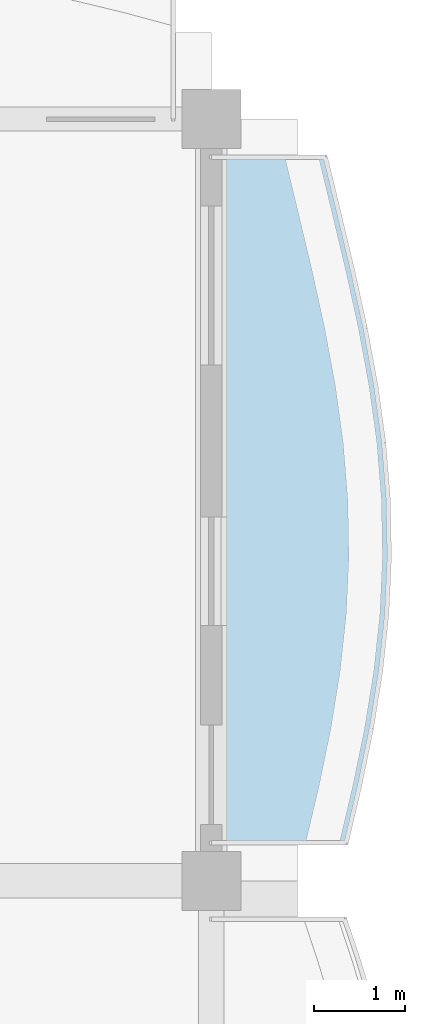
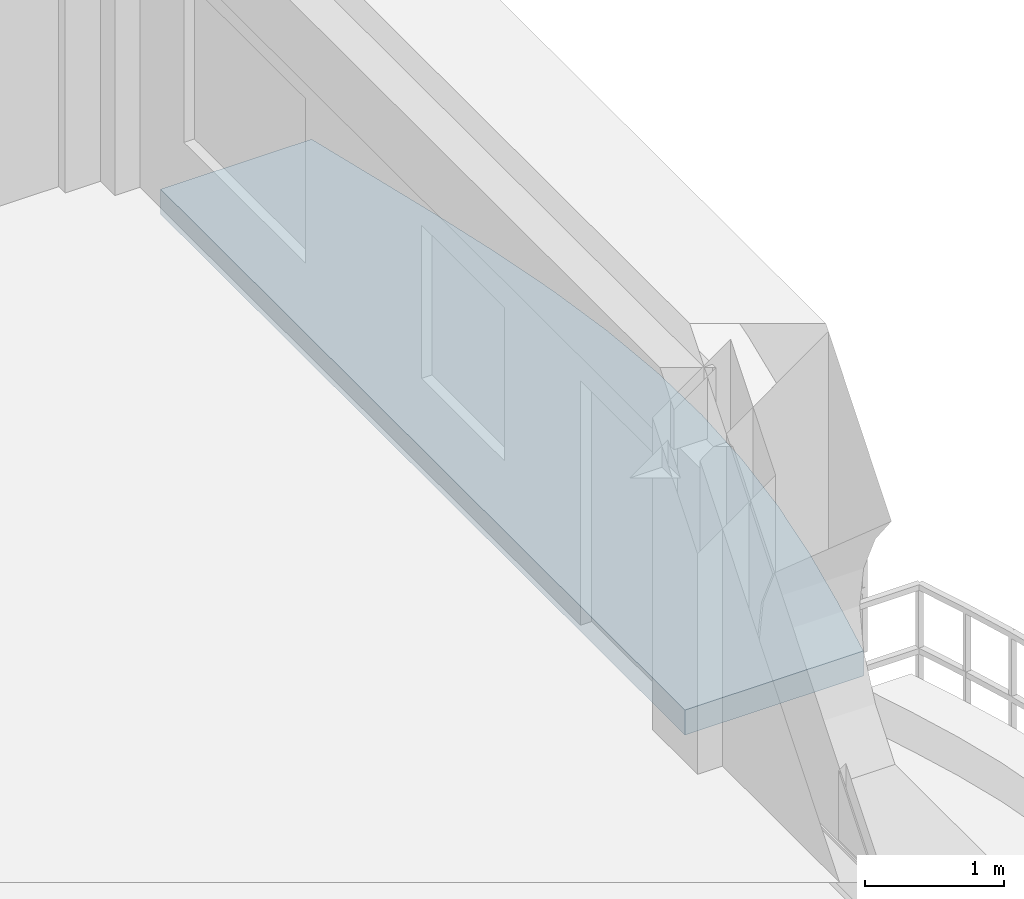
# One storey, part 36 of 101: 1 slab.
"""IFC4 building model written with IfcOpenShell, lengths in metres."""

from ifc_helpers import new_model, si_unit, direction, frame, origin, place, context, subcontext, project, spatial, polyline, outline, extrude, material, layer, layer_set, type_object, element, save


model = new_model("IFC4")

# Units and contexts
model_context = context("Model", 3, precision=1e-05, world=origin(), true_north=direction((0.0, 1.0)))
body_context = subcontext(model_context, "Body", "Model", "MODEL_VIEW")
ifc_project = project(units=[si_unit("LENGTHUNIT", "METRE"), si_unit("AREAUNIT", "SQUARE_METRE"), si_unit("VOLUMEUNIT", "CUBIC_METRE"), si_unit("PLANEANGLEUNIT", "RADIAN"), si_unit("MASSUNIT", "GRAM", prefix="KILO"), si_unit("THERMODYNAMICTEMPERATUREUNIT", "KELVIN")], contexts=[model_context])

# Site, building, storey
site_placement = place(None, origin())
site = spatial("IfcSite", under=ifc_project, at=site_placement, CompositionType="ELEMENT")
building_placement = place(site_placement, origin())
building = spatial("IfcBuilding", under=site, at=building_placement, Name="Thalorik Housing Commons", CompositionType="ELEMENT")
storey_placement = place(building_placement, frame((0.0, 0.0, 8.10009765625)))
storey = spatial("IfcBuildingStorey", under=building, at=storey_placement, Name="L02", CompositionType="ELEMENT", Elevation=8.10009765625)

# Slab
ifc_material = material(Name="Precast concrete C40/50", Category="concrete")
ifc_layer = layer(ifc_material, 0.219970703125, Name="Precast concrete C40/50", Category="concrete")
ifc_layer_set = layer_set([ifc_layer], Name="Precast concrete C40/50")
slab_type = type_object("IfcSlabType", Name="STR-SLB-BALC-220", PredefinedType="FLOOR", material=ifc_layer_set)
slab_placement = place(storey_placement, frame((0.0, 0.0, -0.22021484375)))
element("IfcSlab", 1, at=slab_placement, inside=storey, type_object=slab_type, Name="L02 Block B Cushion Balcony 113", PredefinedType="FLOOR", context=body_context, shape_type="SweptSolid", body=[
    extrude(outline(polyline([(175.486083984375, 115.6201171875), (175.634033203125, 116.25), (175.763427734375, 116.8798828125), (175.865234375, 117.510009765625), (175.932861328125, 118.139892578125), (175.961669921875, 118.77001953125), (175.9501953125, 119.39990234375), (175.8994140625, 120.030029296875), (175.812744140625, 120.659912109375), (175.6962890625, 121.2900390625), (175.55859375, 121.919921875), (175.40869140625, 122.550048828125), (175.2568359375, 123.179931640625), (174.0, 123.179931640625), (174.0, 115.6201171875), (175.486083984375, 115.6201171875)])), origin(), (0.0, 0.0, 1.0), 0.22021484375),
])

save(model, "model.ifc")
